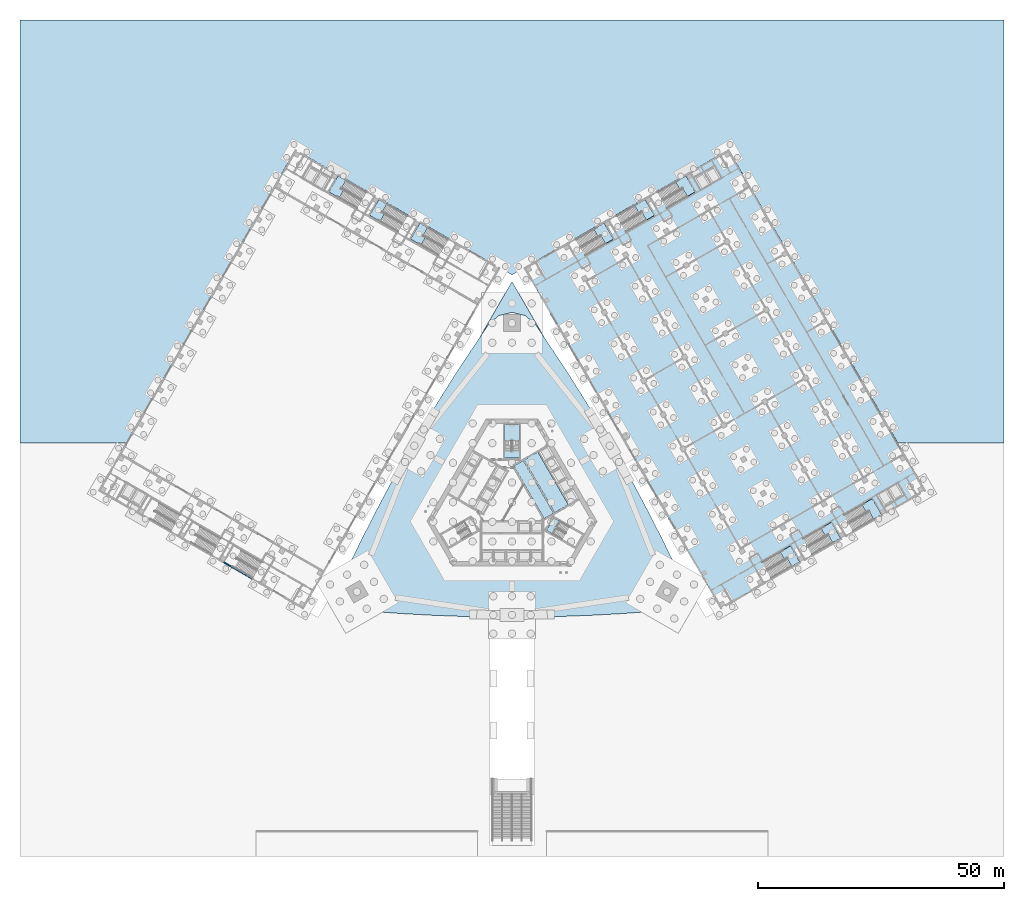
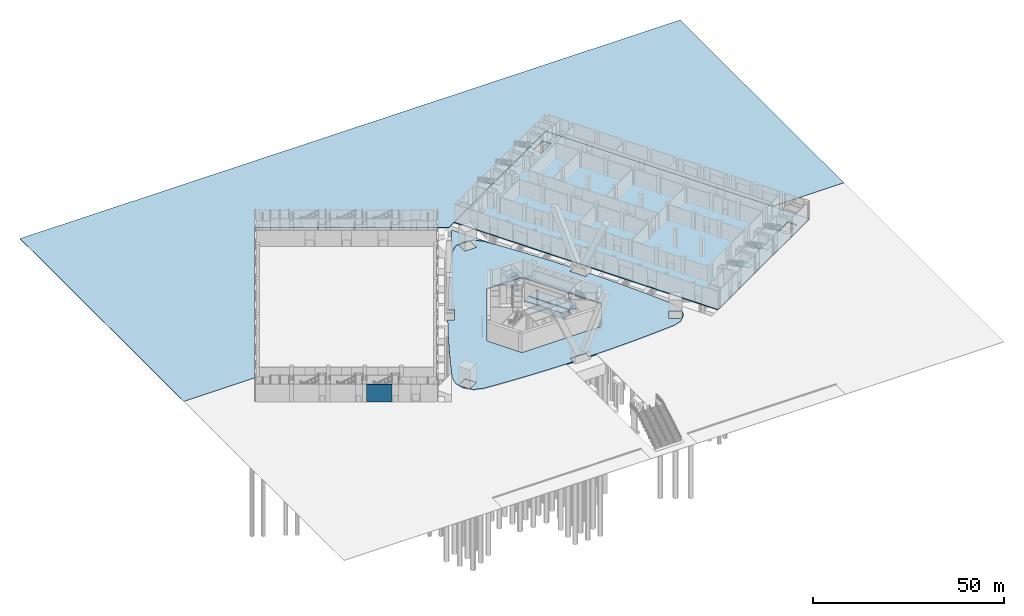
# One storey, part 9 of 38: 19 slabs, 1 wall, 11 elements without a shape of their own.
"""IFC4 building model written with IfcOpenShell, lengths in metres."""

from ifc_helpers import new_model, si_unit, direction, frame, frame_2d, origin, place, context, subcontext, project, spatial, polyline, rectangle, outline, extrude, material, layer, layer_set, type_object, element, aggregate, save


model = new_model("IFC4")

# Units and contexts
model_context = context("Model", 3, precision=1e-05, world=origin(), true_north=direction((0.0, 1.0)))
body_context = subcontext(model_context, "Body", "Model", "MODEL_VIEW")
ifc_project = project(units=[si_unit("LENGTHUNIT", "METRE"), si_unit("AREAUNIT", "SQUARE_METRE"), si_unit("VOLUMEUNIT", "CUBIC_METRE"), si_unit("PLANEANGLEUNIT", "RADIAN"), si_unit("MASSUNIT", "GRAM", prefix="KILO")], contexts=[model_context])

# Site, building, storey
site_placement = place(None, origin())
site = spatial("IfcSite", under=ifc_project, at=site_placement, CompositionType="ELEMENT")
building_placement = place(site_placement, origin())
building = spatial("IfcBuilding", under=site, at=building_placement, Name="Mestral Congress Tower", CompositionType="ELEMENT")
storey_placement = place(building_placement, origin())
storey = spatial("IfcBuildingStorey", under=building, at=storey_placement, Name="L00", CompositionType="ELEMENT", Elevation=0.0)

# Slabs
ifc_material_1 = material(Name="Concrete C60/75", Category="concrete")
ifc_layer_1 = layer(ifc_material_1, 1.800048828125)
ifc_layer_set_1 = layer_set([ifc_layer_1], Name="Concrete C60/75")
slab_type_1 = type_object("IfcSlabType", Name="Core plinth RC 1800", PredefinedType="BASESLAB", material=ifc_layer_set_1)
placement_1 = place(storey_placement, frame((0.0, 0.0, -1.800048828125)))
element("IfcSlab", 1, at=placement_1, inside=storey, type_object=slab_type_1, Name="L00 core floor", PredefinedType="BASESLAB", context=body_context, shape_type="SweptSolid", body=[
    extrude(outline(polyline([(8.674072265625, -2.1201171875), (2.501220703125, 8.572021484375), (3.206298828125, 8.97900390625), (3.206298828125, 8.979248046875), (3.20654296875, 8.979248046875), (3.206787109375, 8.9794921875), (3.206787109375, 8.9794921875), (3.20703125, 8.979736328125), (3.20703125, 8.97998046875), (3.20703125, 8.97998046875), (3.207275390625, 8.980224609375), (3.207275390625, 8.98046875), (3.207275390625, 8.980712890625), (3.207275390625, 8.98095703125), (3.207275390625, 8.981201171875), (3.207275390625, 8.981201171875), (3.207275390625, 8.9814453125), (3.20703125, 8.981689453125), (3.20703125, 8.981689453125), (3.162841796875, 9.05810546875), (4.3720703125, 9.756103515625), (4.416015625, 9.679931640625), (4.416259765625, 9.6796875), (4.41650390625, 9.6796875), (4.41650390625, 9.679443359375), (4.416748046875, 9.67919921875), (4.416748046875, 9.67919921875), (4.4169921875, 9.67919921875), (4.417236328125, 9.67919921875), (4.41748046875, 9.678955078125), (4.41748046875, 9.678955078125), (4.417724609375, 9.678955078125), (4.41796875, 9.678955078125), (4.418212890625, 9.678955078125), (4.418212890625, 9.678955078125), (4.41845703125, 9.678955078125), (4.418701171875, 9.67919921875), (4.4189453125, 9.67919921875), (5.268798828125, 10.169921875), (11.44189453125, -0.52197265625), (10.84130859375, -0.86865234375), (10.84130859375, -0.868896484375), (9.282470703125, -1.768798828125), (9.2822265625, -1.768798828125), (8.674072265625, -2.1201171875)])), origin(), (0.0, 0.0, 1.0), 1.800048828125),
])
element("IfcSlab", 2, at=placement_1, inside=storey, type_object=slab_type_1, Name="L00 core floor", PredefinedType="BASESLAB", context=body_context, shape_type="SweptSolid", body=[
    extrude(outline(polyline([(0.37939453125, 7.346923828125), (2.281005859375, 8.445068359375), (8.4541015625, -2.2470703125), (6.55224609375, -3.344970703125), (0.37939453125, 7.346923828125)])), origin(), (0.0, 0.0, 1.0), 1.800048828125),
])

# Stair, slab
stair_type_1 = type_object("IfcStairType", Name="Exit stair 1400", PredefinedType="HALF_TURN_STAIR", material=ifc_material_1)
placement_2 = place(storey_placement, origin())
stair_1 = element("IfcStair", 3, at=placement_2, inside=storey, type_object=stair_type_1, Name="L00 ST1", PredefinedType="HALF_TURN_STAIR")
ifc_layer_2 = layer(ifc_material_1, 0.199951171875)
ifc_layer_set_2 = layer_set([ifc_layer_2], Name="Concrete C60/75")
slab_type_2 = type_object("IfcSlabType", Name="Exit stair landing 200", PredefinedType="LANDING", material=ifc_layer_set_2)
placement_3 = place(storey_placement, frame((0.0, 0.0, 2.800048828125)))
slab_3 = element("IfcSlab", 4, at=placement_3, type_object=slab_type_2, Name="ST1 landing 2", PredefinedType="LANDING", context=body_context, shape_type="SweptSolid", body=[
    extrude(outline(polyline([(6.999755859375, -5.756103515625), (8.48486328125, -3.18408203125), (9.714599609375, -3.89404296875), (8.2294921875, -6.466064453125), (6.999755859375, -5.756103515625)])), origin(), (0.0, 0.0, 1.0), 0.199951171875),
])
aggregate(stair_1, [slab_3])

# Stair, slabs
stair_2 = element("IfcStair", 5, at=placement_2, inside=storey, type_object=stair_type_1, Name="L00 ST2", PredefinedType="HALF_TURN_STAIR")
slab_4_placement = place(storey_placement, frame((0.0, 0.0, 1.300048828125)))
slab_4 = element("IfcSlab", 6, at=slab_4_placement, type_object=slab_type_2, Name="ST2 landing 1", PredefinedType="LANDING", context=body_context, shape_type="SweptSolid", body=[
    extrude(outline(polyline([(1.485107421875, 12.580078125), (-1.485107421875, 12.580078125), (-1.485107421875, 15.760009765625), (1.485107421875, 15.760009765625), (1.485107421875, 12.580078125)])), origin(), (0.0, 0.0, 1.0), 0.199951171875),
])
slab_5 = element("IfcSlab", 7, at=placement_3, type_object=slab_type_2, Name="ST2 landing 2", PredefinedType="LANDING", context=body_context, shape_type="SweptSolid", body=[
    extrude(outline(polyline([(1.485107421875, 8.93994140625), (-1.485107421875, 8.93994140625), (-1.485107421875, 10.360107421875), (1.485107421875, 10.360107421875), (1.485107421875, 8.93994140625)])), origin(), (0.0, 0.0, 1.0), 0.199951171875),
])
slab_6_placement = place(storey_placement, frame((0.0, 0.0, 4.300048828125)))
slab_6 = element("IfcSlab", 8, at=slab_6_placement, type_object=slab_type_2, Name="ST2 landing 3", PredefinedType="LANDING", context=body_context, shape_type="SweptSolid", body=[
    extrude(outline(polyline([(1.485107421875, 12.580078125), (-1.485107421875, 12.580078125), (-1.485107421875, 15.760009765625), (1.485107421875, 15.760009765625), (1.485107421875, 12.580078125)])), origin(), (0.0, 0.0, 1.0), 0.199951171875),
])
aggregate(stair_2, [slab_4, slab_5, slab_6])

# Slabs
ifc_material_2 = material(Name="Concrete C35/45", Category="concrete")
ifc_layer_3 = layer(ifc_material_2, 0.300048828125)
ifc_layer_set_3 = layer_set([ifc_layer_3], Name="Concrete C35/45")
slab_type_3 = type_object("IfcSlabType", Name="Ground slab 300", PredefinedType="BASESLAB", material=ifc_layer_set_3)
placement_4 = place(storey_placement, frame((0.0, 0.0, -0.300048828125)))
element("IfcSlab", 9, at=placement_4, inside=storey, type_object=slab_type_3, Name="SL-L00-E-0", PredefinedType="BASESLAB", context=body_context, shape_type="SweptSolid", body=[
    extrude(outline(polyline([(42.454345703125, -21.677001953125), (84.0234375, 2.322998046875), (44.0234375, 71.60498046875), (2.454345703125, 47.60498046875), (42.454345703125, -21.677001953125)]), holes=[polyline([(74.197509765625, 1.44189453125), (78.3544921875, 3.842041015625), (79.70458984375, 1.503662109375), (75.547607421875, -0.896240234375), (74.197509765625, 1.44189453125)]), polyline([(36.99755859375, 65.874267578125), (41.154541015625, 68.2744140625), (42.50439453125, 65.93603515625), (38.34765625, 63.535888671875), (36.99755859375, 65.874267578125)])]), origin(), (0.0, 0.0, 1.0), 0.300048828125),
])
element("IfcSlab", 10, at=placement_4, inside=storey, type_object=slab_type_3, Name="SL-L00-PLAZA-0", PredefinedType="BASESLAB", context=body_context, shape_type="SweptSolid", body=[
    extrude(outline(polyline([(-24.936279296875, 3.298828125), (-27.93310546875, -2.365478515625), (-30.824462890625, -8.084228515625), (-33.6328125, -13.90283203125), (-34.176513671875, -16.59326171875), (-33.39599609375, -19.28125), (-31.45849609375, -21.301025390625), (-28.8564453125, -22.17529296875), (-22.41357421875, -22.652587890625), (-16.01513671875, -23.0078125), (-9.611083984375, -23.244873046875), (-3.2041015625, -23.36328125), (-2.419921875, -23.36328125), (-2.419921875, -21.6279296875), (-2.419921875, -21.6259765625), (-2.419677734375, -21.6240234375), (-2.419189453125, -21.622314453125), (-2.41845703125, -21.620361328125), (-2.41748046875, -21.61865234375), (-2.41650390625, -21.616943359375), (-2.41552734375, -21.615234375), (-2.4140625, -21.614013671875), (-2.41259765625, -21.612548828125), (-2.4111328125, -21.611328125), (-2.409423828125, -21.6103515625), (-2.40771484375, -21.609619140625), (-2.40576171875, -21.60888671875), (-2.40380859375, -21.6083984375), (-2.402099609375, -21.608154296875), (-2.39990234375, -21.60791015625), (2.39990234375, -21.60791015625), (2.402099609375, -21.608154296875), (2.40380859375, -21.6083984375), (2.40576171875, -21.60888671875), (2.40771484375, -21.609619140625), (2.409423828125, -21.6103515625), (2.4111328125, -21.611328125), (2.41259765625, -21.612548828125), (2.4140625, -21.614013671875), (2.41552734375, -21.615234375), (2.41650390625, -21.616943359375), (2.41748046875, -21.61865234375), (2.41845703125, -21.620361328125), (2.419189453125, -21.622314453125), (2.419677734375, -21.6240234375), (2.419921875, -21.6259765625), (2.419921875, -21.6279296875), (2.419921875, -23.36328125), (3.2041015625, -23.36328125), (9.611083984375, -23.244873046875), (16.01513671875, -23.0078125), (22.41357421875, -22.652587890625), (28.8564453125, -22.17529296875), (31.45849609375, -21.301025390625), (33.39599609375, -19.28125), (34.176513671875, -16.59326171875), (33.6328125, -13.90283203125), (30.824462890625, -8.084228515625), (27.93310546875, -2.365478515625), (24.936279296875, 3.298828125), (21.835205078125, 8.90673828125), (21.443115234375, 9.5859375), (19.9404296875, 8.71826171875), (19.938720703125, 8.71728515625), (19.936767578125, 8.716552734375), (19.934814453125, 8.716064453125), (19.93310546875, 8.7158203125), (19.930908203125, 8.715576171875), (19.92919921875, 8.715576171875), (19.927001953125, 8.7158203125), (19.92529296875, 8.71630859375), (19.92333984375, 8.716796875), (19.92138671875, 8.717529296875), (19.919921875, 8.718505859375), (19.918212890625, 8.7197265625), (19.916748046875, 8.720947265625), (19.915283203125, 8.722412109375), (19.9140625, 8.723876953125), (19.9130859375, 8.7255859375), (17.512939453125, 12.882568359375), (17.51220703125, 12.88427734375), (17.511474609375, 12.885986328125), (17.510986328125, 12.887939453125), (17.510498046875, 12.889892578125), (17.510498046875, 12.891845703125), (17.510498046875, 12.893798828125), (17.510498046875, 12.895751953125), (17.510986328125, 12.897705078125), (17.51171875, 12.8994140625), (17.512451171875, 12.9013671875), (17.513427734375, 12.903076171875), (17.514404296875, 12.904541015625), (17.515869140625, 12.906005859375), (17.51708984375, 12.907470703125), (17.518798828125, 12.90869140625), (17.5205078125, 12.909912109375), (19.023193359375, 13.77734375), (18.631103515625, 14.45654296875), (15.324951171875, 19.946044921875), (11.91796875, 25.373291015625), (8.4111328125, 30.737060546875), (4.776123046875, 36.078125), (2.718017578125, 37.894287109375), (0.0, 38.562255859375), (-2.718017578125, 37.894287109375), (-4.776123046875, 36.078125), (-8.4111328125, 30.737060546875), (-11.91796875, 25.373291015625), (-15.324951171875, 19.946044921875), (-18.631103515625, 14.45654296875), (-19.023193359375, 13.77734375), (-17.5205078125, 12.909912109375), (-17.518798828125, 12.90869140625), (-17.51708984375, 12.907470703125), (-17.515869140625, 12.906005859375), (-17.514404296875, 12.904541015625), (-17.513427734375, 12.903076171875), (-17.512451171875, 12.9013671875), (-17.51171875, 12.8994140625), (-17.510986328125, 12.897705078125), (-17.510498046875, 12.895751953125), (-17.510498046875, 12.893798828125), (-17.510498046875, 12.891845703125), (-17.510498046875, 12.889892578125), (-17.510986328125, 12.887939453125), (-17.511474609375, 12.885986328125), (-17.51220703125, 12.88427734375), (-17.512939453125, 12.882568359375), (-19.9130859375, 8.7255859375), (-19.9140625, 8.723876953125), (-19.915283203125, 8.722412109375), (-19.916748046875, 8.720947265625), (-19.918212890625, 8.7197265625), (-19.919921875, 8.718505859375), (-19.92138671875, 8.717529296875), (-19.92333984375, 8.716796875), (-19.92529296875, 8.71630859375), (-19.927001953125, 8.7158203125), (-19.92919921875, 8.715576171875), (-19.930908203125, 8.715576171875), (-19.93310546875, 8.7158203125), (-19.934814453125, 8.716064453125), (-19.936767578125, 8.716552734375), (-19.938720703125, 8.71728515625), (-19.9404296875, 8.71826171875), (-21.443115234375, 9.5859375), (-21.835205078125, 8.90673828125), (-24.936279296875, 3.298828125)]), holes=[polyline([(-17.2626953125, -3.89990234375), (-5.25390625, 16.89990234375), (5.25390625, 16.89990234375), (17.2626953125, -3.89990234375), (12.0087890625, -13.0), (-12.0087890625, -13.0), (-17.2626953125, -3.89990234375)]), polyline([(29.18017578125, -18.822998046875), (29.18017578125, -18.821044921875), (29.180419921875, -18.819091796875), (29.1806640625, -18.817138671875), (29.18115234375, -18.815185546875), (29.181884765625, -18.8134765625), (29.182861328125, -18.811767578125), (30.8828125, -15.8671875), (30.8837890625, -15.865478515625), (30.885009765625, -15.864013671875), (30.886474609375, -15.86279296875), (30.887939453125, -15.861328125), (30.8896484375, -15.8603515625), (30.891357421875, -15.859375), (30.89306640625, -15.8583984375), (30.89501953125, -15.85791015625), (30.89697265625, -15.857421875), (30.898681640625, -15.857421875), (30.90087890625, -15.857421875), (30.90283203125, -15.857421875), (30.90478515625, -15.85791015625), (30.906494140625, -15.8583984375), (30.908447265625, -15.85888671875), (30.91015625, -15.85986328125), (33.8544921875, -17.559814453125), (33.856201171875, -17.56103515625), (33.85791015625, -17.562255859375), (33.859130859375, -17.563720703125), (33.860595703125, -17.565185546875), (33.861572265625, -17.566650390625), (33.862548828125, -17.568359375), (33.86328125, -17.5703125), (33.864013671875, -17.572021484375), (33.864501953125, -17.573974609375), (33.864501953125, -17.575927734375), (33.864501953125, -17.577880859375), (33.864501953125, -17.579833984375), (33.864013671875, -17.581787109375), (33.863525390625, -17.583740234375), (33.86279296875, -17.58544921875), (33.862060546875, -17.58740234375), (32.162109375, -20.53173828125), (32.160888671875, -20.533447265625), (32.15966796875, -20.534912109375), (32.158203125, -20.536376953125), (32.15673828125, -20.53759765625), (32.1552734375, -20.538818359375), (32.153564453125, -20.539794921875), (32.151611328125, -20.54052734375), (32.14990234375, -20.541015625), (32.14794921875, -20.54150390625), (32.14599609375, -20.541748046875), (32.14404296875, -20.541748046875), (32.14208984375, -20.54150390625), (32.14013671875, -20.541259765625), (32.13818359375, -20.540771484375), (32.136474609375, -20.5400390625), (32.134521484375, -20.5390625), (29.190185546875, -18.839111328125), (29.1884765625, -18.837890625), (29.18701171875, -18.8369140625), (29.185546875, -18.83544921875), (29.184326171875, -18.833984375), (29.18310546875, -18.832275390625), (29.18212890625, -18.83056640625), (29.181396484375, -18.828857421875), (29.180908203125, -18.826904296875), (29.180419921875, -18.824951171875), (29.18017578125, -18.822998046875)]), polyline([(1.70947265625, 34.681396484375), (1.707763671875, 34.680419921875), (1.705810546875, 34.6796875), (1.703857421875, 34.67919921875), (1.701904296875, 34.678955078125), (1.699951171875, 34.678955078125), (-1.699951171875, 34.678955078125), (-1.701904296875, 34.678955078125), (-1.703857421875, 34.67919921875), (-1.705810546875, 34.6796875), (-1.707763671875, 34.680419921875), (-1.70947265625, 34.681396484375), (-1.711181640625, 34.682373046875), (-1.712646484375, 34.683349609375), (-1.714111328125, 34.684814453125), (-1.715576171875, 34.686279296875), (-1.716552734375, 34.687744140625), (-1.717529296875, 34.689453125), (-1.718505859375, 34.691162109375), (-1.718994140625, 34.693115234375), (-1.719482421875, 34.695068359375), (-1.719970703125, 34.697021484375), (-1.719970703125, 34.698974609375), (-1.719970703125, 38.098876953125), (-1.719970703125, 38.100830078125), (-1.719482421875, 38.102783203125), (-1.718994140625, 38.104736328125), (-1.718505859375, 38.106689453125), (-1.717529296875, 38.1083984375), (-1.716552734375, 38.110107421875), (-1.715576171875, 38.111572265625), (-1.714111328125, 38.113037109375), (-1.712646484375, 38.114501953125), (-1.711181640625, 38.115478515625), (-1.70947265625, 38.116455078125), (-1.707763671875, 38.117431640625), (-1.705810546875, 38.117919921875), (-1.703857421875, 38.118408203125), (-1.701904296875, 38.118896484375), (-1.699951171875, 38.118896484375), (1.699951171875, 38.118896484375), (1.701904296875, 38.118896484375), (1.703857421875, 38.118408203125), (1.705810546875, 38.117919921875), (1.707763671875, 38.117431640625), (1.70947265625, 38.116455078125), (1.711181640625, 38.115478515625), (1.712646484375, 38.114501953125), (1.714111328125, 38.113037109375), (1.715576171875, 38.111572265625), (1.716552734375, 38.110107421875), (1.717529296875, 38.1083984375), (1.718505859375, 38.106689453125), (1.718994140625, 38.104736328125), (1.719482421875, 38.102783203125), (1.719970703125, 38.100830078125), (1.719970703125, 38.098876953125), (1.719970703125, 34.698974609375), (1.719970703125, 34.697021484375), (1.719482421875, 34.695068359375), (1.718994140625, 34.693115234375), (1.718505859375, 34.691162109375), (1.717529296875, 34.689453125), (1.716552734375, 34.687744140625), (1.715576171875, 34.686279296875), (1.714111328125, 34.684814453125), (1.712646484375, 34.683349609375), (1.711181640625, 34.682373046875), (1.70947265625, 34.681396484375)]), polyline([(-30.887939453125, -15.861328125), (-30.886474609375, -15.86279296875), (-30.885009765625, -15.864013671875), (-30.8837890625, -15.865478515625), (-30.8828125, -15.8671875), (-29.182861328125, -18.811767578125), (-29.181884765625, -18.8134765625), (-29.18115234375, -18.815185546875), (-29.1806640625, -18.817138671875), (-29.180419921875, -18.819091796875), (-29.18017578125, -18.821044921875), (-29.18017578125, -18.822998046875), (-29.180419921875, -18.824951171875), (-29.180908203125, -18.826904296875), (-29.181396484375, -18.828857421875), (-29.18212890625, -18.83056640625), (-29.18310546875, -18.832275390625), (-29.184326171875, -18.833984375), (-29.185546875, -18.83544921875), (-29.18701171875, -18.8369140625), (-29.1884765625, -18.837890625), (-29.190185546875, -18.839111328125), (-32.134521484375, -20.5390625), (-32.136474609375, -20.5400390625), (-32.13818359375, -20.540771484375), (-32.14013671875, -20.541259765625), (-32.14208984375, -20.54150390625), (-32.14404296875, -20.541748046875), (-32.14599609375, -20.541748046875), (-32.14794921875, -20.54150390625), (-32.14990234375, -20.541015625), (-32.151611328125, -20.54052734375), (-32.153564453125, -20.539794921875), (-32.1552734375, -20.538818359375), (-32.15673828125, -20.53759765625), (-32.158203125, -20.536376953125), (-32.15966796875, -20.534912109375), (-32.160888671875, -20.533447265625), (-32.162109375, -20.53173828125), (-33.862060546875, -17.58740234375), (-33.86279296875, -17.58544921875), (-33.863525390625, -17.583740234375), (-33.864013671875, -17.581787109375), (-33.864501953125, -17.579833984375), (-33.864501953125, -17.577880859375), (-33.864501953125, -17.575927734375), (-33.864501953125, -17.573974609375), (-33.864013671875, -17.572021484375), (-33.86328125, -17.5703125), (-33.862548828125, -17.568359375), (-33.861572265625, -17.566650390625), (-33.860595703125, -17.565185546875), (-33.859130859375, -17.563720703125), (-33.85791015625, -17.562255859375), (-33.856201171875, -17.56103515625), (-33.8544921875, -17.559814453125), (-30.91015625, -15.85986328125), (-30.908447265625, -15.85888671875), (-30.906494140625, -15.8583984375), (-30.90478515625, -15.85791015625), (-30.90283203125, -15.857421875), (-30.90087890625, -15.857421875), (-30.898681640625, -15.857421875), (-30.89697265625, -15.857421875), (-30.89501953125, -15.85791015625), (-30.89306640625, -15.8583984375), (-30.891357421875, -15.859375), (-30.8896484375, -15.8603515625), (-30.887939453125, -15.861328125)])]), origin(), (0.0, 0.0, 1.0), 0.300048828125),
])

# Stair, slab
ifc_material_3 = material(Name="Concrete C40/50", Category="concrete")
stair_type_2 = type_object("IfcStairType", Name="Podium exit stair 1800", PredefinedType="HALF_TURN_STAIR", material=ifc_material_3)
stair_3 = element("IfcStair", 11, at=placement_2, inside=storey, type_object=stair_type_2, Name="L00 Exit stair E1", PredefinedType="HALF_TURN_STAIR")
ifc_layer_4 = layer(ifc_material_3, 0.199951171875)
ifc_layer_set_4 = layer_set([ifc_layer_4], Name="Concrete C40/50")
slab_type_4 = type_object("IfcSlabType", Name="Podium exit stair landing 200", PredefinedType="LANDING", material=ifc_layer_set_4)
slab_9 = element("IfcSlab", 12, at=placement_3, type_object=slab_type_4, Name="PS-E1 landing 1", PredefinedType="LANDING", context=body_context, shape_type="SweptSolid", body=[
    extrude(outline(polyline([(56.878662109375, -13.060546875), (55.903564453125, -11.371826171875), (55.392578125, -11.666748046875), (54.49267578125, -10.10791015625), (56.605712890625, -8.887939453125), (58.480712890625, -12.135498046875), (56.878662109375, -13.060546875)])), origin(), (0.0, 0.0, 1.0), 0.199951171875),
])
aggregate(stair_3, [slab_9])

stair_4 = element("IfcStair", 13, at=placement_2, inside=storey, type_object=stair_type_2, Name="L00 Exit stair E2", PredefinedType="HALF_TURN_STAIR")
slab_10 = element("IfcSlab", 14, at=placement_3, type_object=slab_type_4, Name="PS-E2 landing 1", PredefinedType="LANDING", context=body_context, shape_type="SweptSolid", body=[
    extrude(outline(polyline([(65.1923828125, -8.260498046875), (64.21728515625, -6.57177734375), (63.706298828125, -6.86669921875), (62.806396484375, -5.307861328125), (64.91943359375, -4.087890625), (66.79443359375, -7.33544921875), (65.1923828125, -8.260498046875)])), origin(), (0.0, 0.0, 1.0), 0.199951171875),
])
aggregate(stair_4, [slab_10])

stair_5 = element("IfcStair", 15, at=placement_2, inside=storey, type_object=stair_type_2, Name="L00 Exit stair E3", PredefinedType="HALF_TURN_STAIR")
slab_11 = element("IfcSlab", 16, at=placement_3, type_object=slab_type_4, Name="PS-E3 landing 1", PredefinedType="LANDING", context=body_context, shape_type="SweptSolid", body=[
    extrude(outline(polyline([(73.506103515625, -3.46044921875), (72.53125, -1.771728515625), (72.020263671875, -2.066650390625), (71.1201171875, -0.5078125), (73.2333984375, 0.712158203125), (75.1083984375, -2.535400390625), (73.506103515625, -3.46044921875)])), origin(), (0.0, 0.0, 1.0), 0.199951171875),
])
aggregate(stair_5, [slab_11])

stair_6 = element("IfcStair", 17, at=placement_2, inside=storey, type_object=stair_type_2, Name="L00 Exit stair E4", PredefinedType="HALF_TURN_STAIR")
slab_12 = element("IfcSlab", 18, at=placement_3, type_object=slab_type_4, Name="PS-E4 landing 1", PredefinedType="LANDING", context=body_context, shape_type="SweptSolid", body=[
    extrude(outline(polyline([(19.003662109375, 52.541015625), (18.028564453125, 54.229736328125), (17.517578125, 53.9345703125), (16.61767578125, 55.493408203125), (18.730712890625, 56.71337890625), (20.605712890625, 53.4658203125), (19.003662109375, 52.541015625)])), origin(), (0.0, 0.0, 1.0), 0.199951171875),
])
aggregate(stair_6, [slab_12])

stair_7 = element("IfcStair", 19, at=placement_2, inside=storey, type_object=stair_type_2, Name="L00 Exit stair E5", PredefinedType="HALF_TURN_STAIR")
slab_13 = element("IfcSlab", 20, at=placement_3, type_object=slab_type_4, Name="PS-E5 landing 1", PredefinedType="LANDING", context=body_context, shape_type="SweptSolid", body=[
    extrude(outline(polyline([(27.3173828125, 57.3408203125), (26.34228515625, 59.029541015625), (25.831298828125, 58.734619140625), (24.931396484375, 60.29345703125), (27.04443359375, 61.513427734375), (28.91943359375, 58.265869140625), (27.3173828125, 57.3408203125)])), origin(), (0.0, 0.0, 1.0), 0.199951171875),
])
aggregate(stair_7, [slab_13])

stair_8 = element("IfcStair", 21, at=placement_2, inside=storey, type_object=stair_type_2, Name="L00 Exit stair E6", PredefinedType="HALF_TURN_STAIR")
slab_14 = element("IfcSlab", 22, at=placement_3, type_object=slab_type_4, Name="PS-E6 landing 1", PredefinedType="LANDING", context=body_context, shape_type="SweptSolid", body=[
    extrude(outline(polyline([(35.631103515625, 62.140869140625), (34.65625, 63.82958984375), (34.145263671875, 63.53466796875), (33.2451171875, 65.093505859375), (35.3583984375, 66.3134765625), (37.2333984375, 63.06591796875), (35.631103515625, 62.140869140625)])), origin(), (0.0, 0.0, 1.0), 0.199951171875),
])
aggregate(stair_8, [slab_14])

stair_9 = element("IfcStair", 23, at=placement_2, inside=storey, type_object=stair_type_2, Name="L00 Exit stair W1", PredefinedType="HALF_TURN_STAIR")
slab_15 = element("IfcSlab", 24, at=placement_3, type_object=slab_type_4, Name="PS-W1 landing 1", PredefinedType="LANDING", context=body_context, shape_type="SweptSolid", body=[
    extrude(outline(polyline([(-17.592529296875, 53.8046875), (-18.49267578125, 52.245849609375), (-20.605712890625, 53.4658203125), (-18.730712890625, 56.71337890625), (-17.128662109375, 55.78857421875), (-18.103515625, 54.099853515625), (-17.592529296875, 53.8046875)])), origin(), (0.0, 0.0, 1.0), 0.199951171875),
])
aggregate(stair_9, [slab_15])

stair_10 = element("IfcStair", 25, at=placement_2, inside=storey, type_object=stair_type_2, Name="L00 Exit stair W2", PredefinedType="HALF_TURN_STAIR")
slab_16 = element("IfcSlab", 26, at=placement_3, type_object=slab_type_4, Name="PS-W2 landing 1", PredefinedType="LANDING", context=body_context, shape_type="SweptSolid", body=[
    extrude(outline(polyline([(-25.906494140625, 58.604736328125), (-26.806396484375, 57.0458984375), (-28.91943359375, 58.265869140625), (-27.04443359375, 61.513427734375), (-25.4423828125, 60.58837890625), (-26.41748046875, 58.899658203125), (-25.906494140625, 58.604736328125)])), origin(), (0.0, 0.0, 1.0), 0.199951171875),
])
aggregate(stair_10, [slab_16])

stair_11 = element("IfcStair", 27, at=placement_2, inside=storey, type_object=stair_type_2, Name="L00 Exit stair W3", PredefinedType="HALF_TURN_STAIR")
slab_17 = element("IfcSlab", 28, at=placement_3, type_object=slab_type_4, Name="PS-W3 landing 1", PredefinedType="LANDING", context=body_context, shape_type="SweptSolid", body=[
    extrude(outline(polyline([(-34.22021484375, 63.40478515625), (-35.1201171875, 61.845947265625), (-37.2333984375, 63.06591796875), (-35.3583984375, 66.3134765625), (-33.756103515625, 65.388427734375), (-34.731201171875, 63.69970703125), (-34.22021484375, 63.40478515625)])), origin(), (0.0, 0.0, 1.0), 0.199951171875),
])
aggregate(stair_11, [slab_17])

# Slabs
ifc_material_4 = material(Name="Limestone paving", Category="masonry")
ifc_layer_5 = layer(ifc_material_4, 0.14990234375)
ifc_layer_set_5 = layer_set([ifc_layer_5], Name="Limestone paving")
slab_type_5 = type_object("IfcSlabType", Name="Podium plaza paving 150", PredefinedType="USERDEFINED", material=ifc_layer_set_5)
placement_5 = place(storey_placement, frame((0.0, 0.0, -0.14990234375)))
element("IfcSlab", 29, at=placement_5, inside=storey, type_object=slab_type_5, Name="Service yard paving", ObjectType="PAVING", PredefinedType="USERDEFINED", context=body_context, shape_type="SweptSolid", body=[
    extrude(outline(polyline([(-100.0, 98.0), (100.0, 98.0), (100.0, 12.0), (78.4365234375, 12.0), (44.0234375, 71.60498046875), (2.454345703125, 47.60498046875), (0.0, 46.18798828125), (-2.454345703125, 47.60498046875), (-44.0234375, 71.60498046875), (-78.4365234375, 12.0), (-100.0, 12.0), (-100.0, 98.0)])), origin(), (0.0, 0.0, 1.0), 0.14990234375),
])
element("IfcSlab", 30, at=placement_5, inside=storey, type_object=slab_type_5, Name="Service yard paving", ObjectType="PAVING", PredefinedType="USERDEFINED", context=body_context, shape_type="SweptSolid", body=[
    extrude(outline(polyline([(2.718017578125, 37.894287109375), (0.0, 38.562255859375), (-2.718017578125, 37.894287109375), (-4.776123046875, 36.078125), (-6.69970703125, 33.251708984375), (0.0, 44.85595703125), (6.69970703125, 33.251708984375), (4.776123046875, 36.078125), (2.718017578125, 37.894287109375)])), origin(), (0.0, 0.0, 1.0), 0.14990234375),
])

# Wall
ifc_material_5 = material(Name="Precast concrete C40/50 with limestone facing", Category="masonry")
ifc_layer_6 = layer(ifc_material_5, 0.25)
ifc_layer_set_6 = layer_set([ifc_layer_6], Name="Precast concrete C40/50 with limestone facing")
wall_type = type_object("IfcWallType", Name="Podium external wall 250", PredefinedType="SOLIDWALL", material=ifc_layer_set_6)
wall_placement = place(storey_placement, frame((-52.7841796875, -15.56884765625, 0.0), z_axis=(0.0, 0.0, 1.0), x_axis=(-0.866026575979, 0.499997969693, 0.0)))
element("IfcWall", 31, at=wall_placement, inside=storey, type_object=wall_type, Name="L00 external wall", PredefinedType="SOLIDWALL", context=body_context, shape_type="SweptSolid", body=[
    extrude(rectangle(XDim=6.75, YDim=0.25, at=frame_2d((3.375, 0.0))), origin(), (0.0, 0.0, 1.0), 5.699951171875),
])

save(model, "model.ifc")
